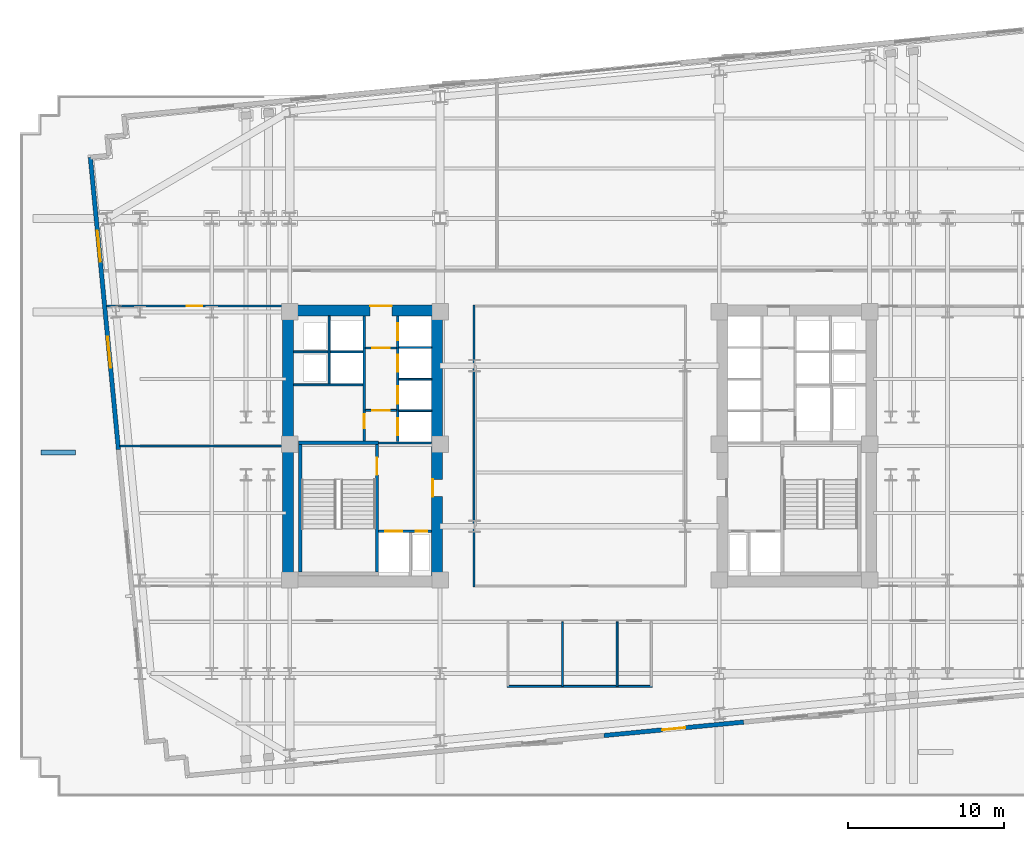
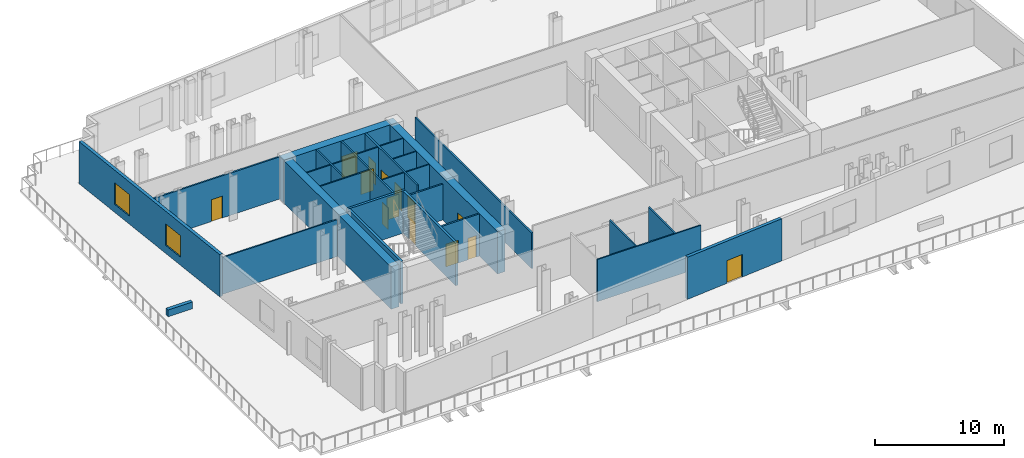
# One storey, part 6 of 14: 28 walls, 14 doors, 2 windows, 16 openings.
"""IFC4 building model written with IfcOpenShell, lengths in metres."""

from ifc_helpers import new_model, si_unit, direction, frame, frame_2d, origin, place, context, subcontext, project, spatial, rectangle, extrude, material, layer, layer_set, type_object, element, fill, save


model = new_model("IFC4")

# Units and contexts
model_context = context("Model", 3, precision=1e-05, world=origin(), true_north=direction((0.0, 1.0)))
body_context = subcontext(model_context, "Body", "Model", "MODEL_VIEW")
ifc_project = project(units=[si_unit("LENGTHUNIT", "METRE"), si_unit("AREAUNIT", "SQUARE_METRE"), si_unit("VOLUMEUNIT", "CUBIC_METRE"), si_unit("PLANEANGLEUNIT", "RADIAN"), si_unit("MASSUNIT", "GRAM", prefix="KILO")], contexts=[model_context])

# Site, building, storey
site_placement = place(None, origin())
site = spatial("IfcSite", under=ifc_project, at=site_placement, CompositionType="ELEMENT")
building_placement = place(site_placement, origin())
building = spatial("IfcBuilding", under=site, at=building_placement, Name="Velakula Bourse", CompositionType="ELEMENT")
storey_placement = place(building_placement, frame((0.0, 0.0, 70.0)))
storey = spatial("IfcBuildingStorey", under=building, at=storey_placement, Name="L18", CompositionType="ELEMENT", Elevation=70.0)

# Wall, opening, door
ifc_material_1 = material(Name="Concrete M50 (fck 50 MPa)", Category="concrete")
ifc_layer_1 = layer(ifc_material_1, 0.2099609375, Name="Concrete M50 (fck 50 MPa)", Category="concrete")
ifc_layer_set_1 = layer_set([ifc_layer_1], Name="Concrete M50 (fck 50 MPa)")
wall_type_1 = type_object("IfcWallType", Name="WL-CORE-210", PredefinedType="SHEAR", material=ifc_layer_set_1)
wall_1_placement = place(storey_placement, frame((-12.9951171875, -8.10009765625, 0.0), z_axis=(0.0, 0.0, 1.0), x_axis=(0.0, 1.0, 0.0)))
wall_1 = element("IfcWall", 1, at=wall_1_placement, inside=storey, type_object=wall_type_1, Name="L18 Core W Stairwell Shear Wall IN", PredefinedType="SHEAR", context=body_context, shape_type="SweptSolid", body=[
    extrude(rectangle(XDim=8.2001953125, YDim=0.2099609375, at=frame_2d((4.10009765625, 0.0))), origin(), (0.0, 0.0, 1.0), 4.02001953125),
])
opening_1_placement = place(wall_1_placement, frame((6.25, 0.0, 0.0)))
opening_1 = element("IfcOpeningElement", 2, at=opening_1_placement, cuts=wall_1, Name="Opening D-STW1", PredefinedType="OPENING", context=body_context, shape_type="SweptSolid", body=[
    extrude(rectangle(XDim=1.10009765625, YDim=2.14990234375, at=frame_2d((0.550048828125, 1.074951171875))), frame((0.0, 0.114990234375, 0.0), z_axis=(0.0, -1.0, 0.0), x_axis=(1.0, 0.0, 0.0)), (0.0, 0.0, 1.0), 0.22998046875),
])
ifc_material_2 = material(Name="Galvanised painted hollow steel fire door", Category="steel")
door_type_1 = type_object("IfcDoorType", Name="DR-FD120-1100x2150", OperationType="NOTDEFINED", PredefinedType="DOOR", material=ifc_material_2)
door_1_placement = place(opening_1_placement, origin())
door_1 = element("IfcDoor", 3, at=door_1_placement, inside=storey, type_object=door_type_1, Name="L18 Stair ST-W1 Fire Door", OperationType="SINGLE_SWING_LEFT", OverallHeight=2.14990234375, OverallWidth=1.10009765625, PredefinedType="DOOR", context=body_context, shape_type="SweptSolid", body=[
    extrude(rectangle(XDim=1.10009765625, YDim=2.14990234375, at=frame_2d((0.550048828125, 1.074951171875))), frame((0.0, 0.02490234375, 0.0), z_axis=(0.0, -1.0, 0.0), x_axis=(1.0, 0.0, 0.0)), (0.0, 0.0, 1.0), 0.050048828125),
])
fill(opening_1, door_1)

# Walls
wall_2_placement = place(storey_placement, frame((-17.925048828125, -8.10009765625, 0.0), z_axis=(0.0, 0.0, 1.0), x_axis=(0.0, 1.0, 0.0)))
element("IfcWall", 4, at=wall_2_placement, inside=storey, type_object=wall_type_1, Name="L18 Core W Stairwell Shear Wall OUT", PredefinedType="SHEAR", context=body_context, shape_type="SweptSolid", body=[
    extrude(rectangle(XDim=8.2001953125, YDim=0.2099609375, at=frame_2d((4.10009765625, 0.0))), origin(), (0.0, 0.0, 1.0), 4.02001953125),
])
wall_3_placement = place(storey_placement, frame((-12.889892578125, 0.205078125, 0.0), z_axis=(0.0, 0.0, 1.0), x_axis=(-1.0, 0.0, 0.0)))
element("IfcWall", 5, at=wall_3_placement, inside=storey, type_object=wall_type_1, Name="L18 Core W Stairwell Shear Wall N", PredefinedType="SHEAR", context=body_context, shape_type="SweptSolid", body=[
    extrude(rectangle(XDim=5.14013671875, YDim=0.2099609375, at=frame_2d((2.570068359375, 0.0))), origin(), (0.0, 0.0, 1.0), 4.02001953125),
])

# Wall, opening, door
ifc_material_3 = material(Name="Concrete M70 (fck 70 MPa)", Category="concrete")
ifc_layer_2 = layer(ifc_material_3, 0.699951171875, Name="Concrete M70 (fck 70 MPa)", Category="concrete")
ifc_layer_set_2 = layer_set([ifc_layer_2], Name="Concrete M70 (fck 70 MPa)")
wall_type_2 = type_object("IfcWallType", Name="WL-CORE-700", PredefinedType="SHEAR", material=ifc_layer_set_2)
wall_4_placement = place(storey_placement, frame((-19.050048828125, 8.699951171875, 0.0), z_axis=(0.0, 0.0, 1.0), x_axis=(1.0, 0.0, 0.0)))
wall_4 = element("IfcWall", 6, at=wall_4_placement, inside=storey, type_object=wall_type_2, Name="L18 Core W Shear Wall N", PredefinedType="SHEAR", context=body_context, shape_type="SweptSolid", body=[
    extrude(rectangle(XDim=10.25, YDim=0.699951171875, at=frame_2d((5.125, 0.0))), origin(), (0.0, 0.0, 1.0), 4.02001953125),
])
opening_2_placement = place(wall_4_placement, frame((5.60009765625, 0.0, 0.0)))
opening_2 = element("IfcOpeningElement", 7, at=opening_2_placement, cuts=wall_4, Name="Opening D-LLW", PredefinedType="OPENING", context=body_context, shape_type="SweptSolid", body=[
    extrude(rectangle(XDim=1.39990234375, YDim=2.050048828125, at=frame_2d((0.699951171875, 1.02490234375))), frame((0.0, 0.35986328125, 0.0), z_axis=(0.0, -1.0, 0.0), x_axis=(1.0, 0.0, 0.0)), (0.0, 0.0, 1.0), 0.719970703125),
])
ifc_material_4 = material(Name="Fire-rated hardwood flush architectural door", Category="wood")
door_type_2 = type_object("IfcDoorType", Name="DR-DBL-FD60-1400", OperationType="DOUBLE_DOOR_SINGLE_SWING", PredefinedType="DOOR", material=ifc_material_4)
door_2_placement = place(opening_2_placement, origin())
door_2 = element("IfcDoor", 8, at=door_2_placement, inside=storey, type_object=door_type_2, Name="L18 Core W Lift Lobby Corridor Double Door", OperationType="DOUBLE_DOOR_SINGLE_SWING", OverallHeight=2.050048828125, OverallWidth=1.39990234375, PredefinedType="DOOR", context=body_context, shape_type="SweptSolid", body=[
    extrude(rectangle(XDim=1.39990234375, YDim=2.050048828125, at=frame_2d((0.699951171875, 1.02490234375))), frame((0.0, 0.294921875, 0.0), z_axis=(0.0, -1.0, 0.0), x_axis=(1.0, 0.0, 0.0)), (0.0, 0.0, 1.0), 0.050048828125),
])
fill(opening_2, door_2)

# Wall
wall_5_placement = place(storey_placement, frame((-18.699951171875, -8.35009765625, 0.0), z_axis=(0.0, 0.0, 1.0), x_axis=(0.0, 1.0, 0.0)))
element("IfcWall", 9, at=wall_5_placement, inside=storey, type_object=wall_type_2, Name="L18 Core W Shear Wall W", PredefinedType="SHEAR", context=body_context, shape_type="SweptSolid", body=[
    extrude(rectangle(XDim=16.7001953125, YDim=0.699951171875, at=frame_2d((8.35009765625, 0.0))), origin(), (0.0, 0.0, 1.0), 4.02001953125),
])

# Wall, opening, door
wall_6_placement = place(storey_placement, frame((-9.14990234375, -8.35009765625, 0.0), z_axis=(0.0, 0.0, 1.0), x_axis=(0.0, 1.0, 0.0)))
wall_6 = element("IfcWall", 10, at=wall_6_placement, inside=storey, type_object=wall_type_2, Name="L18 Core W Shear Wall E", PredefinedType="SHEAR", context=body_context, shape_type="SweptSolid", body=[
    extrude(rectangle(XDim=16.7001953125, YDim=0.699951171875, at=frame_2d((8.35009765625, 0.0))), origin(), (0.0, 0.0, 1.0), 4.02001953125),
])
opening_3_placement = place(wall_6_placement, frame((5.10009765625, 0.0, 0.0)))
opening_3 = element("IfcOpeningElement", 11, at=opening_3_placement, cuts=wall_6, Name="Opening D-FLW", PredefinedType="OPENING", context=body_context, shape_type="SweptSolid", body=[
    extrude(rectangle(XDim=1.10009765625, YDim=2.080078125, at=frame_2d((0.550048828125, 1.0400390625))), frame((0.0, 0.35986328125, 0.0), z_axis=(0.0, -1.0, 0.0), x_axis=(1.0, 0.0, 0.0)), (0.0, 0.0, 1.0), 0.719970703125),
])
door_type_3 = type_object("IfcDoorType", Name="DR-FD120-1100", OperationType="NOTDEFINED", PredefinedType="DOOR", material=ifc_material_2)
door_3_placement = place(opening_3_placement, origin())
door_3 = element("IfcDoor", 12, at=door_3_placement, inside=storey, type_object=door_type_3, Name="L18 Firefighting Lobby W Corridor Fire Door", OperationType="SINGLE_SWING_LEFT", OverallHeight=2.080078125, OverallWidth=1.10009765625, PredefinedType="DOOR", context=body_context, shape_type="SweptSolid", body=[
    extrude(rectangle(XDim=1.10009765625, YDim=2.080078125, at=frame_2d((0.550048828125, 1.0400390625))), frame((0.0, 0.30517578125, 0.0), z_axis=(0.0, -1.0, 0.0), x_axis=(1.0, 0.0, 0.0)), (0.0, 0.0, 1.0), 0.050048828125),
])
fill(opening_3, door_3)

ifc_material_5 = material(Name="Red kilned clay facing brick masonry", Category="masonry")
ifc_layer_3 = layer(ifc_material_5, 0.280029296875, Name="Red kilned clay facing brick masonry", Category="masonry")
ifc_layer_set_3 = layer_set([ifc_layer_3], Name="Red kilned clay facing brick masonry")
wall_type_3 = type_object("IfcWallType", Name="WL-EXT-BRK-280", PredefinedType="STANDARD", material=ifc_layer_set_3)
wall_7_placement = place(storey_placement, frame((10.51513671875, -17.7109375, 0.0), z_axis=(0.0, 0.0, 1.0), x_axis=(-0.995397043619, -0.095836973841, 0.0)))
wall_7 = element("IfcWall", 13, at=wall_7_placement, inside=storey, type_object=wall_type_3, Name="L18 S Brick Spandrel Wall B3", PredefinedType="STANDARD", context=body_context, shape_type="SweptSolid", body=[
    extrude(rectangle(XDim=9.000244140625, YDim=0.280029296875, at=frame_2d((4.5, 0.0))), origin(), (0.0, 0.0, 1.0), 4.0),
])
opening_4_placement = place(wall_7_placement, frame((3.75, 0.0, 0.0)))
opening_4 = element("IfcOpeningElement", 14, at=opening_4_placement, cuts=wall_7, Name="Opening D-TR1", PredefinedType="OPENING", context=body_context, shape_type="SweptSolid", body=[
    extrude(rectangle(XDim=1.5, YDim=2.14990234375, at=frame_2d((0.75, 1.074951171875))), frame((0.0, 0.14990234375, 0.0), z_axis=(0.0, -1.0, 0.0), x_axis=(1.0, 0.0, 0.0)), (0.0, 0.0, 1.0), 0.300048828125),
])
ifc_material_6 = material(Name="Anodised bronze architectural aluminium", Category="aluminium")
door_type_4 = type_object("IfcDoorType", Name="DR-EXT-TERR-1500", OperationType="DOUBLE_DOOR_SINGLE_SWING", PredefinedType="DOOR", material=ifc_material_6)
door_4_placement = place(opening_4_placement, origin())
door_4 = element("IfcDoor", 15, at=door_4_placement, inside=storey, type_object=door_type_4, Name="L18 Sky-Garden Terrace Access Door 3", OperationType="DOUBLE_DOOR_SINGLE_SWING", OverallHeight=2.14990234375, OverallWidth=1.5, PredefinedType="DOOR", context=body_context, shape_type="SweptSolid", body=[
    extrude(rectangle(XDim=1.5, YDim=2.14990234375, at=frame_2d((0.75, 1.074951171875))), frame((0.0, 0.02490234375, 0.0), z_axis=(0.0, -1.0, 0.0), x_axis=(1.0, 0.0, 0.0)), (0.0, 0.0, 1.0), 0.050048828125),
])
fill(opening_4, door_4)

# Wall, openings, windows
wall_8_placement = place(storey_placement, frame((-29.584716796875, -0.23388671875, 0.0), z_axis=(0.0, 0.0, 1.0), x_axis=(-0.095841297881, 0.99539662729, 0.0)))
wall_8 = element("IfcWall", 16, at=wall_8_placement, inside=storey, type_object=wall_type_3, Name="L18 W Brick End Wall W2", PredefinedType="STANDARD", context=body_context, shape_type="SweptSolid", body=[
    extrude(rectangle(XDim=18.840087890625, YDim=0.280029296875, at=frame_2d((9.419921875, 0.0))), origin(), (0.0, 0.0, 1.0), 4.0),
])
opening_5_placement = place(wall_8_placement, frame((5.280029296875, 0.0, 0.760009765625)))
opening_5 = element("IfcOpeningElement", 17, at=opening_5_placement, cuts=wall_8, Name="Opening W-05", PredefinedType="OPENING", context=body_context, shape_type="SweptSolid", body=[
    extrude(rectangle(XDim=2.0, YDim=2.050048828125, at=frame_2d((1.0, 1.02490234375))), frame((0.0, 0.14990234375, 0.0), z_axis=(0.0, -1.0, 0.0), x_axis=(1.0, 0.0, 0.0)), (0.0, 0.0, 1.0), 0.300048828125),
])
opening_6_placement = place(wall_8_placement, frame((12.110107421875, 0.0, 0.760009765625)))
opening_6 = element("IfcOpeningElement", 18, at=opening_6_placement, cuts=wall_8, Name="Opening W-05", PredefinedType="OPENING", context=body_context, shape_type="SweptSolid", body=[
    extrude(rectangle(XDim=2.0, YDim=2.050048828125, at=frame_2d((1.0, 1.02490234375))), frame((0.0, 0.14990234375, 0.0), z_axis=(0.0, -1.0, 0.0), x_axis=(1.0, 0.0, 0.0)), (0.0, 0.0, 1.0), 0.300048828125),
])
ifc_material_7 = material(Name="Double-glazed solar-control Low-E glass", Category="glass")
window_type = type_object("IfcWindowType", Name="WIN-TWR-2000x2200", PartitioningType="DOUBLE_PANEL_VERTICAL", PredefinedType="WINDOW", material=ifc_material_7)
window_1_placement = place(opening_5_placement, origin())
window_1 = element("IfcWindow", 19, at=window_1_placement, inside=storey, type_object=window_type, Name="L18 Deep-Set Recessed Window 1", OverallHeight=2.050048828125, OverallWidth=2.0, PartitioningType="DOUBLE_PANEL_VERTICAL", PredefinedType="WINDOW", context=body_context, shape_type="SweptSolid", body=[
    extrude(rectangle(XDim=2.0, YDim=2.050048828125, at=frame_2d((1.0, 1.02490234375))), frame((0.0, 0.030029296875, 0.0), z_axis=(0.0, -1.0, 0.0), x_axis=(1.0, 0.0, 0.0)), (0.0, 0.0, 1.0), 0.06005859375),
])
fill(opening_5, window_1)
window_2_placement = place(opening_6_placement, origin())
window_2 = element("IfcWindow", 20, at=window_2_placement, inside=storey, type_object=window_type, Name="L18 Deep-Set Recessed Window 2", OverallHeight=2.050048828125, OverallWidth=2.0, PartitioningType="DOUBLE_PANEL_VERTICAL", PredefinedType="WINDOW", context=body_context, shape_type="SweptSolid", body=[
    extrude(rectangle(XDim=2.0, YDim=2.050048828125, at=frame_2d((1.0, 1.02490234375))), frame((0.0, 0.030029296875, 0.0), z_axis=(0.0, -1.0, 0.0), x_axis=(1.0, 0.0, 0.0)), (0.0, 0.0, 1.0), 0.06005859375),
])
fill(opening_6, window_2)

# Wall
ifc_layer_4 = layer(ifc_material_5, 0.300048828125, Name="Red kilned clay facing brick masonry", Category="masonry")
ifc_layer_set_4 = layer_set([ifc_layer_4], Name="Red kilned clay facing brick masonry")
wall_type_4 = type_object("IfcWallType", Name="WL-PAR-PLN-300", PredefinedType="PARAPET", material=ifc_layer_set_4)
wall_9_placement = place(storey_placement, frame((-34.552978515625, -0.4208984375, 0.0), z_axis=(0.0, 0.0, 1.0), x_axis=(1.0, 0.0, 0.0)))
element("IfcWall", 21, at=wall_9_placement, inside=storey, type_object=wall_type_4, Name="L18 Sky-Garden Brick Planter 1", PredefinedType="PARAPET", context=body_context, shape_type="SweptSolid", body=[
    extrude(rectangle(XDim=2.2001953125, YDim=0.300048828125, at=frame_2d((1.10009765625, 0.0))), origin(), (0.0, 0.0, 1.0), 0.64990234375),
])

# Wall, opening, door
ifc_material_8 = material(Name="Fire-rated double-layer gypsum drywall partition", Category="gypsum")
ifc_layer_5 = layer(ifc_material_8, 0.1201171875, Name="Fire-rated double-layer gypsum drywall partition", Category="gypsum")
ifc_layer_set_5 = layer_set([ifc_layer_5], Name="Fire-rated double-layer gypsum drywall partition")
wall_type_5 = type_object("IfcWallType", Name="WL-PART-120", PredefinedType="STANDARD", material=ifc_layer_set_5)
wall_10_placement = place(storey_placement, frame((-13.75, 2.280029296875, 0.0), z_axis=(0.0, 0.0, 1.0), x_axis=(1.0, 0.0, 0.0)))
wall_10 = element("IfcWall", 22, at=wall_10_placement, inside=storey, type_object=wall_type_5, Name="L18 Interior Partition WL-CRW-L18-LL-K3A", PredefinedType="STANDARD", context=body_context, shape_type="SweptSolid", body=[
    extrude(rectangle(XDim=2.0, YDim=0.1201171875, at=frame_2d((1.0, 0.0))), origin(), (0.0, 0.0, 1.0), 4.0),
])
opening_7_placement = place(wall_10_placement, frame((0.449951171875, 0.0, 0.0)))
opening_7 = element("IfcOpeningElement", 23, at=opening_7_placement, cuts=wall_10, Name="Opening D-LK3", PredefinedType="OPENING", context=body_context, shape_type="SweptSolid", body=[
    extrude(rectangle(XDim=1.10009765625, YDim=2.10009765625, at=frame_2d((0.550048828125, 1.050048828125))), frame((0.0, 0.070068359375, 0.0), z_axis=(0.0, -1.0, 0.0), x_axis=(1.0, 0.0, 0.0)), (0.0, 0.0, 1.0), 0.14013671875),
])
door_type_5 = type_object("IfcDoorType", Name="DR-FD60-1100x2100", OperationType="NOTDEFINED", PredefinedType="DOOR", material=ifc_material_4)
door_5_placement = place(opening_7_placement, origin())
door_5 = element("IfcDoor", 24, at=door_5_placement, inside=storey, type_object=door_type_5, Name="L18 Core W Lift Lobby Vestibule Door A", OperationType="SINGLE_SWING_RIGHT", OverallHeight=2.10009765625, OverallWidth=1.10009765625, PredefinedType="DOOR", context=body_context, shape_type="SweptSolid", body=[
    extrude(rectangle(XDim=1.10009765625, YDim=2.10009765625, at=frame_2d((0.550048828125, 1.050048828125))), frame((0.0, 0.02490234375, 0.0), z_axis=(0.0, -1.0, 0.0), x_axis=(1.0, 0.0, 0.0)), (0.0, 0.0, 1.0), 0.050048828125),
])
fill(opening_7, door_5)

wall_11_placement = place(storey_placement, frame((-13.75, 6.280029296875, 0.0), z_axis=(0.0, 0.0, 1.0), x_axis=(1.0, 0.0, 0.0)))
wall_11 = element("IfcWall", 25, at=wall_11_placement, inside=storey, type_object=wall_type_5, Name="L18 Interior Partition WL-CRW-L18-LL-K3B", PredefinedType="STANDARD", context=body_context, shape_type="SweptSolid", body=[
    extrude(rectangle(XDim=2.0, YDim=0.1201171875, at=frame_2d((1.0, 0.0))), origin(), (0.0, 0.0, 1.0), 4.0),
])
opening_8_placement = place(wall_11_placement, frame((0.449951171875, 0.0, 0.0)))
opening_8 = element("IfcOpeningElement", 26, at=opening_8_placement, cuts=wall_11, Name="Opening D-LK3", PredefinedType="OPENING", context=body_context, shape_type="SweptSolid", body=[
    extrude(rectangle(XDim=1.10009765625, YDim=2.10009765625, at=frame_2d((0.550048828125, 1.050048828125))), frame((0.0, 0.070068359375, 0.0), z_axis=(0.0, -1.0, 0.0), x_axis=(1.0, 0.0, 0.0)), (0.0, 0.0, 1.0), 0.14013671875),
])
door_6_placement = place(opening_8_placement, origin())
door_6 = element("IfcDoor", 27, at=door_6_placement, inside=storey, type_object=door_type_5, Name="L18 Core W Lift Lobby Vestibule Door B", OperationType="SINGLE_SWING_RIGHT", OverallHeight=2.10009765625, OverallWidth=1.10009765625, PredefinedType="DOOR", context=body_context, shape_type="SweptSolid", body=[
    extrude(rectangle(XDim=1.10009765625, YDim=2.10009765625, at=frame_2d((0.550048828125, 1.050048828125))), frame((0.0, 0.02490234375, 0.0), z_axis=(0.0, -1.0, 0.0), x_axis=(1.0, 0.0, 0.0)), (0.0, 0.0, 1.0), 0.050048828125),
])
fill(opening_8, door_6)

# Walls
for number, where, z_axis, x_axis, name in (
    (28, (-11.60009765625, 2.2548828125, 0.0), (0.0, 0.0, 1.0), (1.0, 0.0, 0.0), "L18 Interior Partition WL-CRW-L18-BDIV-0"),
    (29, (-11.60009765625, 4.284912109375, 0.0), (0.0, 0.0, 1.0), (1.0, 0.0, 0.0), "L18 Interior Partition WL-CRW-L18-BDIV-1"),
    (30, (-11.60009765625, 6.31494140625, 0.0), (0.0, 0.0, 1.0), (1.0, 0.0, 0.0), "L18 Interior Partition WL-CRW-L18-BDIV-2"),
):
    element("IfcWall", number, at=place(storey_placement, frame(where, z_axis=z_axis, x_axis=x_axis)), inside=storey, type_object=wall_type_5, Name=name, PredefinedType="STANDARD", context=body_context, shape_type="SweptSolid", body=[
        extrude(rectangle(XDim=2.10009765625, YDim=0.110107421875, at=frame_2d((1.050048828125, 0.0))), origin(), (0.0, 0.0, 1.0), 4.0),
    ])
wall_12_placement = place(storey_placement, frame((-18.35009765625, 3.919921875, 0.0), z_axis=(0.0, 0.0, 1.0), x_axis=(1.0, 0.0, 0.0)))
element("IfcWall", 31, at=wall_12_placement, inside=storey, type_object=wall_type_5, Name="L18 Interior Partition WL-CRW-L18-HI-S", PredefinedType="STANDARD", context=body_context, shape_type="SweptSolid", body=[
    extrude(rectangle(XDim=4.4501953125, YDim=0.1201171875, at=frame_2d((2.22509765625, 0.0))), origin(), (0.0, 0.0, 1.0), 4.0),
])
wall_13_placement = place(storey_placement, frame((-18.35009765625, 6.030029296875, 0.0), z_axis=(0.0, 0.0, 1.0), x_axis=(1.0, 0.0, 0.0)))
element("IfcWall", 32, at=wall_13_placement, inside=storey, type_object=wall_type_5, Name="L18 Interior Partition WL-CRW-L18-RIS-MID", PredefinedType="STANDARD", context=body_context, shape_type="SweptSolid", body=[
    extrude(rectangle(XDim=2.2001953125, YDim=0.1201171875, at=frame_2d((1.10009765625, 0.0))), origin(), (0.0, 0.0, 1.0), 4.0),
])
wall_14_placement = place(storey_placement, frame((-16.074951171875, 3.97998046875, 0.0), z_axis=(0.0, 0.0, 1.0), x_axis=(0.0, 1.0, 0.0)))
element("IfcWall", 33, at=wall_14_placement, inside=storey, type_object=wall_type_5, Name="L18 Interior Partition WL-CRW-L18-RIS-F", PredefinedType="STANDARD", context=body_context, shape_type="SweptSolid", body=[
    extrude(rectangle(XDim=4.3701171875, YDim=0.1201171875, at=frame_2d((2.18505859375, 0.0))), origin(), (0.0, 0.0, 1.0), 4.0),
])
wall_15_placement = place(storey_placement, frame((-16.0, 6.030029296875, 0.0), z_axis=(0.0, 0.0, 1.0), x_axis=(1.0, 0.0, 0.0)))
element("IfcWall", 34, at=wall_15_placement, inside=storey, type_object=wall_type_5, Name="L18 Interior Partition WL-CRW-L18-HI-DIV", PredefinedType="STANDARD", context=body_context, shape_type="SweptSolid", body=[
    extrude(rectangle(XDim=2.10009765625, YDim=0.1201171875, at=frame_2d((1.050048828125, 0.0))), origin(), (0.0, 0.0, 1.0), 4.0),
])
wall_16_placement = place(storey_placement, frame((-4.659912109375, -15.419921875, 0.0), z_axis=(0.0, 0.0, 1.0), x_axis=(1.0, 0.0, 0.0)))
element("IfcWall", 35, at=wall_16_placement, inside=storey, type_object=wall_type_5, Name="L18 Interior Partition WL-WC-L18-BACK", PredefinedType="STANDARD", context=body_context, shape_type="SweptSolid", body=[
    extrude(rectangle(XDim=9.31982421875, YDim=0.1201171875, at=frame_2d((4.659912109375, 0.0))), origin(), (0.0, 0.0, 1.0), 4.0),
])
for number, where, z_axis, x_axis, name in (
    (36, (-1.10009765625, -15.419921875, 0.0), (0.0, 0.0, 1.0), (0.0, 1.0, 0.0), "L18 Interior Partition WL-WC-L18-V2"),
    (37, (2.39990234375, -15.419921875, 0.0), (0.0, 0.0, 1.0), (0.0, 1.0, 0.0), "L18 Interior Partition WL-WC-L18-V3"),
):
    element("IfcWall", number, at=place(storey_placement, frame(where, z_axis=z_axis, x_axis=x_axis)), inside=storey, type_object=wall_type_5, Name=name, PredefinedType="STANDARD", context=body_context, shape_type="SweptSolid", body=[
        extrude(rectangle(XDim=4.1298828125, YDim=0.1201171875, at=frame_2d((2.06494140625, 0.0))), origin(), (0.0, 0.0, 1.0), 4.0),
    ])
wall_17_placement = place(storey_placement, frame((-29.486572265625, 0.0, 0.0), z_axis=(0.0, 0.0, 1.0), x_axis=(1.0, 0.0, 0.0)))
element("IfcWall", 38, at=wall_17_placement, inside=storey, type_object=wall_type_5, Name="L18 Interior Partition WL-INT-L18-W-H", PredefinedType="STANDARD", context=body_context, shape_type="SweptSolid", body=[
    extrude(rectangle(XDim=10.4365234375, YDim=0.1201171875, at=frame_2d((5.21826171875, 0.0))), origin(), (0.0, 0.0, 1.0), 3.4951171875),
])

# Wall, opening, door
ifc_layer_6 = layer(ifc_material_8, 0.139892578125, Name="Fire-rated double-layer gypsum drywall partition", Category="gypsum")
ifc_layer_set_6 = layer_set([ifc_layer_6], Name="Fire-rated double-layer gypsum drywall partition")
wall_type_6 = type_object("IfcWallType", Name="WL-PART-140", PredefinedType="STANDARD", material=ifc_layer_set_6)
wall_18_placement = place(storey_placement, frame((-30.351318359375, 8.97998046875, 0.0), z_axis=(0.0, 0.0, 1.0), x_axis=(1.0, 0.0, 0.0)))
wall_18 = element("IfcWall", 39, at=wall_18_placement, inside=storey, type_object=wall_type_6, Name="L18 Interior Partition WL-INT-L18-W-NC", PredefinedType="STANDARD", context=body_context, shape_type="SweptSolid", body=[
    extrude(rectangle(XDim=11.30126953125, YDim=0.139892578125, at=frame_2d((5.650634765625, 0.0))), origin(), (0.0, 0.0, 1.0), 4.0),
])
opening_9_placement = place(wall_18_placement, frame((5.150634765625, 0.0, 0.0)))
opening_9 = element("IfcOpeningElement", 40, at=opening_9_placement, cuts=wall_18, Name="Opening D-OF1", PredefinedType="OPENING", context=body_context, shape_type="SweptSolid", body=[
    extrude(rectangle(XDim=1.0, YDim=2.080078125, at=frame_2d((0.5, 1.0400390625))), frame((0.0, 0.079833984375, 0.0), z_axis=(0.0, -1.0, 0.0), x_axis=(1.0, 0.0, 0.0)), (0.0, 0.0, 1.0), 0.159912109375),
])
door_type_6 = type_object("IfcDoorType", Name="DR-OFF-1000", OperationType="NOTDEFINED", PredefinedType="DOOR", material=ifc_material_4)
door_7_placement = place(opening_9_placement, origin())
door_7 = element("IfcDoor", 41, at=door_7_placement, inside=storey, type_object=door_type_6, Name="L18 General Counsel Office Door", OperationType="SINGLE_SWING_RIGHT", OverallHeight=2.080078125, OverallWidth=1.0, PredefinedType="DOOR", context=body_context, shape_type="SweptSolid", body=[
    extrude(rectangle(XDim=1.0, YDim=2.080078125, at=frame_2d((0.5, 1.0400390625))), frame((0.0, 0.02490234375, 0.0), z_axis=(0.0, -1.0, 0.0), x_axis=(1.0, 0.0, 0.0)), (0.0, 0.0, 1.0), 0.050048828125),
])
fill(opening_9, door_7)

# Wall
wall_19_placement = place(storey_placement, frame((-6.780029296875, -9.050048828125, 0.0), z_axis=(0.0, 0.0, 1.0), x_axis=(0.0, 1.0, 0.0)))
element("IfcWall", 42, at=wall_19_placement, inside=storey, type_object=wall_type_6, Name="L18 Interior Partition WL-INT-L18-MID-W", PredefinedType="STANDARD", context=body_context, shape_type="SweptSolid", body=[
    extrude(rectangle(XDim=18.10009765625, YDim=0.139892578125, at=frame_2d((9.050048828125, 0.0))), origin(), (0.0, 0.0, 1.0), 3.39501953125),
])

# Wall, openings, doors
ifc_material_9 = material(Name="Autoclaved aerated concrete blockwork masonry", Category="masonry")
ifc_layer_7 = layer(ifc_material_9, 0.14990234375, Name="Autoclaved aerated concrete blockwork masonry", Category="masonry")
ifc_layer_set_7 = layer_set([ifc_layer_7], Name="Autoclaved aerated concrete blockwork masonry")
wall_type_7 = type_object("IfcWallType", Name="WL-SHAFT-150", PredefinedType="STANDARD", material=ifc_layer_set_7)
wall_20_placement = place(storey_placement, frame((-12.89501953125, -5.47509765625, 0.0), z_axis=(0.0, 0.0, 1.0), x_axis=(1.0, 0.0, 0.0)))
wall_20 = element("IfcWall", 43, at=wall_20_placement, inside=storey, type_object=wall_type_7, Name="L18 Interior Partition WL-CRW-L18-FFL-N", PredefinedType="STANDARD", context=body_context, shape_type="SweptSolid", body=[
    extrude(rectangle(XDim=3.39501953125, YDim=0.14990234375, at=frame_2d((1.697509765625, 0.0))), origin(), (0.0, 0.0, 1.0), 4.0),
])
opening_10_placement = place(wall_20_placement, frame((0.419921875, 0.0, 0.0)))
opening_10 = element("IfcOpeningElement", 44, at=opening_10_placement, cuts=wall_20, Name="Opening LD-FFL-1", PredefinedType="OPENING", context=body_context, shape_type="SweptSolid", body=[
    extrude(rectangle(XDim=1.10009765625, YDim=2.14990234375, at=frame_2d((0.550048828125, 1.074951171875))), frame((0.0, 0.0849609375, 0.0), z_axis=(0.0, -1.0, 0.0), x_axis=(1.0, 0.0, 0.0)), (0.0, 0.0, 1.0), 0.169921875),
])
opening_11_placement = place(wall_20_placement, frame((2.3701171875, 0.0, 0.0)))
opening_11 = element("IfcOpeningElement", 45, at=opening_11_placement, cuts=wall_20, Name="Opening D-RS1", PredefinedType="OPENING", context=body_context, shape_type="SweptSolid", body=[
    extrude(rectangle(XDim=0.75, YDim=2.050048828125, at=frame_2d((0.375, 1.02490234375))), frame((0.0, 0.0849609375, 0.0), z_axis=(0.0, -1.0, 0.0), x_axis=(1.0, 0.0, 0.0)), (0.0, 0.0, 1.0), 0.169921875),
])
door_type_7 = type_object("IfcDoorType", Name="DR-RISER-800", OperationType="NOTDEFINED", PredefinedType="DOOR", material=ifc_material_2)
door_8_placement = place(opening_11_placement, origin())
door_8 = element("IfcDoor", 46, at=door_8_placement, inside=storey, type_object=door_type_7, Name="L18 Fire Riser Access Door", OperationType="SINGLE_SWING_RIGHT", OverallHeight=2.050048828125, OverallWidth=0.75, PredefinedType="DOOR", context=body_context, shape_type="SweptSolid", body=[
    extrude(rectangle(XDim=0.75, YDim=2.050048828125, at=frame_2d((0.375, 1.02490234375))), frame((0.0, 0.02490234375, 0.0), z_axis=(0.0, -1.0, 0.0), x_axis=(1.0, 0.0, 0.0)), (0.0, 0.0, 1.0), 0.050048828125),
])
fill(opening_11, door_8)
ifc_material_10 = material(Name="Brushed grade 316 stainless steel", Category="steel")
door_type_8 = type_object("IfcDoorType", Name="DR-SLIDE-FFL-1100", OperationType="DOUBLE_DOOR_SLIDING", PredefinedType="DOOR", material=ifc_material_10)
door_9_placement = place(opening_10_placement, origin())
door_9 = element("IfcDoor", 47, at=door_9_placement, inside=storey, type_object=door_type_8, Name="L18 Firefighting Lift FFL-1 Sliding Landing Door", OperationType="DOUBLE_DOOR_SLIDING", OverallHeight=2.14990234375, OverallWidth=1.10009765625, PredefinedType="DOOR", context=body_context, shape_type="SweptSolid", body=[
    extrude(rectangle(XDim=1.10009765625, YDim=2.14990234375, at=frame_2d((0.550048828125, 1.074951171875))), frame((0.0, 0.02490234375, 0.0), z_axis=(0.0, -1.0, 0.0), x_axis=(1.0, 0.0, 0.0)), (0.0, 0.0, 1.0), 0.050048828125),
])
fill(opening_10, door_9)

# Wall
wall_21_placement = place(storey_placement, frame((-12.889892578125, 0.18994140625, 0.0), z_axis=(0.0, 0.0, 1.0), x_axis=(1.0, 0.0, 0.0)))
element("IfcWall", 48, at=wall_21_placement, inside=storey, type_object=wall_type_7, Name="L18 Interior Partition WL-CRW-L18-FF-TOP", PredefinedType="STANDARD", context=body_context, shape_type="SweptSolid", body=[
    extrude(rectangle(XDim=3.389892578125, YDim=0.14990234375, at=frame_2d((1.69482421875, 0.0))), origin(), (0.0, 0.0, 1.0), 3.39501953125),
])

# Wall, openings, doors
wall_22_placement = place(storey_placement, frame((-11.675048828125, 0.27001953125, 0.0), z_axis=(0.0, 0.0, 1.0), x_axis=(0.0, 1.0, 0.0)))
wall_22 = element("IfcWall", 49, at=wall_22_placement, inside=storey, type_object=wall_type_7, Name="L18 Interior Partition WL-CRW-L18-BANK-F", PredefinedType="STANDARD", context=body_context, shape_type="SweptSolid", body=[
    extrude(rectangle(XDim=8.080078125, YDim=0.14990234375, at=frame_2d((4.0400390625, 0.0))), origin(), (0.0, 0.0, 1.0), 4.0),
])
opening_12_placement = place(wall_22_placement, frame((0.419921875, 0.0, 0.0)))
opening_12 = element("IfcOpeningElement", 50, at=opening_12_placement, cuts=wall_22, Name="Opening LD-P1", PredefinedType="OPENING", context=body_context, shape_type="SweptSolid", body=[
    extrude(rectangle(XDim=1.10009765625, YDim=2.10009765625, at=frame_2d((0.550048828125, 1.050048828125))), frame((0.0, 0.0849609375, 0.0), z_axis=(0.0, -1.0, 0.0), x_axis=(1.0, 0.0, 0.0)), (0.0, 0.0, 1.0), 0.169921875),
])
opening_13_placement = place(wall_22_placement, frame((2.449951171875, 0.0, 0.0)))
opening_13 = element("IfcOpeningElement", 51, at=opening_13_placement, cuts=wall_22, Name="Opening LD-P2", PredefinedType="OPENING", context=body_context, shape_type="SweptSolid", body=[
    extrude(rectangle(XDim=1.10009765625, YDim=2.10009765625, at=frame_2d((0.550048828125, 1.050048828125))), frame((0.0, 0.0849609375, 0.0), z_axis=(0.0, -1.0, 0.0), x_axis=(1.0, 0.0, 0.0)), (0.0, 0.0, 1.0), 0.169921875),
])
opening_14_placement = place(wall_22_placement, frame((4.47998046875, 0.0, 0.0)))
opening_14 = element("IfcOpeningElement", 52, at=opening_14_placement, cuts=wall_22, Name="Opening LD-P3", PredefinedType="OPENING", context=body_context, shape_type="SweptSolid", body=[
    extrude(rectangle(XDim=1.10009765625, YDim=2.10009765625, at=frame_2d((0.550048828125, 1.050048828125))), frame((0.0, 0.0849609375, 0.0), z_axis=(0.0, -1.0, 0.0), x_axis=(1.0, 0.0, 0.0)), (0.0, 0.0, 1.0), 0.169921875),
])
opening_15_placement = place(wall_22_placement, frame((6.510009765625, 0.0, 0.0)))
opening_15 = element("IfcOpeningElement", 53, at=opening_15_placement, cuts=wall_22, Name="Opening LD-P4", PredefinedType="OPENING", context=body_context, shape_type="SweptSolid", body=[
    extrude(rectangle(XDim=1.10009765625, YDim=2.10009765625, at=frame_2d((0.550048828125, 1.050048828125))), frame((0.0, 0.0849609375, 0.0), z_axis=(0.0, -1.0, 0.0), x_axis=(1.0, 0.0, 0.0)), (0.0, 0.0, 1.0), 0.169921875),
])
door_type_9 = type_object("IfcDoorType", Name="DR-SLIDE-LD-1100", OperationType="DOUBLE_DOOR_SLIDING", PredefinedType="DOOR", material=ifc_material_10)
door_10_placement = place(opening_12_placement, origin())
door_10 = element("IfcDoor", 54, at=door_10_placement, inside=storey, type_object=door_type_9, Name="L18 Passenger Lift P1 Sliding Landing Door", OperationType="DOUBLE_DOOR_SLIDING", OverallHeight=2.10009765625, OverallWidth=1.10009765625, PredefinedType="DOOR", context=body_context, shape_type="SweptSolid", body=[
    extrude(rectangle(XDim=1.10009765625, YDim=2.10009765625, at=frame_2d((0.550048828125, 1.050048828125))), frame((0.0, 0.02490234375, 0.0), z_axis=(0.0, -1.0, 0.0), x_axis=(1.0, 0.0, 0.0)), (0.0, 0.0, 1.0), 0.050048828125),
])
fill(opening_12, door_10)
door_11_placement = place(opening_13_placement, origin())
door_11 = element("IfcDoor", 55, at=door_11_placement, inside=storey, type_object=door_type_9, Name="L18 Passenger Lift P2 Sliding Landing Door", OperationType="DOUBLE_DOOR_SLIDING", OverallHeight=2.10009765625, OverallWidth=1.10009765625, PredefinedType="DOOR", context=body_context, shape_type="SweptSolid", body=[
    extrude(rectangle(XDim=1.10009765625, YDim=2.10009765625, at=frame_2d((0.550048828125, 1.050048828125))), frame((0.0, 0.02490234375, 0.0), z_axis=(0.0, -1.0, 0.0), x_axis=(1.0, 0.0, 0.0)), (0.0, 0.0, 1.0), 0.050048828125),
])
fill(opening_13, door_11)
door_12_placement = place(opening_14_placement, origin())
door_12 = element("IfcDoor", 56, at=door_12_placement, inside=storey, type_object=door_type_9, Name="L18 Passenger Lift P3 Sliding Landing Door", OperationType="DOUBLE_DOOR_SLIDING", OverallHeight=2.10009765625, OverallWidth=1.10009765625, PredefinedType="DOOR", context=body_context, shape_type="SweptSolid", body=[
    extrude(rectangle(XDim=1.10009765625, YDim=2.10009765625, at=frame_2d((0.550048828125, 1.050048828125))), frame((0.0, 0.02490234375, 0.0), z_axis=(0.0, -1.0, 0.0), x_axis=(1.0, 0.0, 0.0)), (0.0, 0.0, 1.0), 0.050048828125),
])
fill(opening_14, door_12)
door_13_placement = place(opening_15_placement, origin())
door_13 = element("IfcDoor", 57, at=door_13_placement, inside=storey, type_object=door_type_9, Name="L18 Passenger Lift P4 Sliding Landing Door", OperationType="DOUBLE_DOOR_SLIDING", OverallHeight=2.10009765625, OverallWidth=1.10009765625, PredefinedType="DOOR", context=body_context, shape_type="SweptSolid", body=[
    extrude(rectangle(XDim=1.10009765625, YDim=2.10009765625, at=frame_2d((0.550048828125, 1.050048828125))), frame((0.0, 0.02490234375, 0.0), z_axis=(0.0, -1.0, 0.0), x_axis=(1.0, 0.0, 0.0)), (0.0, 0.0, 1.0), 0.050048828125),
])
fill(opening_15, door_13)

# Wall, opening, door
wall_23_placement = place(storey_placement, frame((-13.824951171875, 0.27001953125, 0.0), z_axis=(0.0, 0.0, 1.0), x_axis=(0.0, 1.0, 0.0)))
wall_23 = element("IfcWall", 58, at=wall_23_placement, inside=storey, type_object=wall_type_7, Name="L18 Interior Partition WL-CRW-L18-OUT-F", PredefinedType="STANDARD", context=body_context, shape_type="SweptSolid", body=[
    extrude(rectangle(XDim=8.080078125, YDim=0.14990234375, at=frame_2d((4.0400390625, 0.0))), origin(), (0.0, 0.0, 1.0), 4.0),
])
opening_16_placement = place(wall_23_placement, frame((0.85009765625, 0.0, 0.0)))
opening_16 = element("IfcOpeningElement", 59, at=opening_16_placement, cuts=wall_23, Name="Opening D-CR3", PredefinedType="OPENING", context=body_context, shape_type="SweptSolid", body=[
    extrude(rectangle(XDim=0.89990234375, YDim=2.050048828125, at=frame_2d((0.449951171875, 1.02490234375))), frame((0.0, 0.0849609375, 0.0), z_axis=(0.0, -1.0, 0.0), x_axis=(1.0, 0.0, 0.0)), (0.0, 0.0, 1.0), 0.169921875),
])
door_type_10 = type_object("IfcDoorType", Name="DR-INT-900", OperationType="NOTDEFINED", PredefinedType="DOOR", material=ifc_material_4)
door_14_placement = place(opening_16_placement, origin())
door_14 = element("IfcDoor", 60, at=door_14_placement, inside=storey, type_object=door_type_10, Name="L18 Core Stationery and Mail Room Door", OperationType="SINGLE_SWING_RIGHT", OverallHeight=2.050048828125, OverallWidth=0.89990234375, PredefinedType="DOOR", context=body_context, shape_type="SweptSolid", body=[
    extrude(rectangle(XDim=0.89990234375, YDim=2.050048828125, at=frame_2d((0.449951171875, 1.02490234375))), frame((0.0, 0.02490234375, 0.0), z_axis=(0.0, -1.0, 0.0), x_axis=(1.0, 0.0, 0.0)), (0.0, 0.0, 1.0), 0.050048828125),
])
fill(opening_16, door_14)

save(model, "model.ifc")
